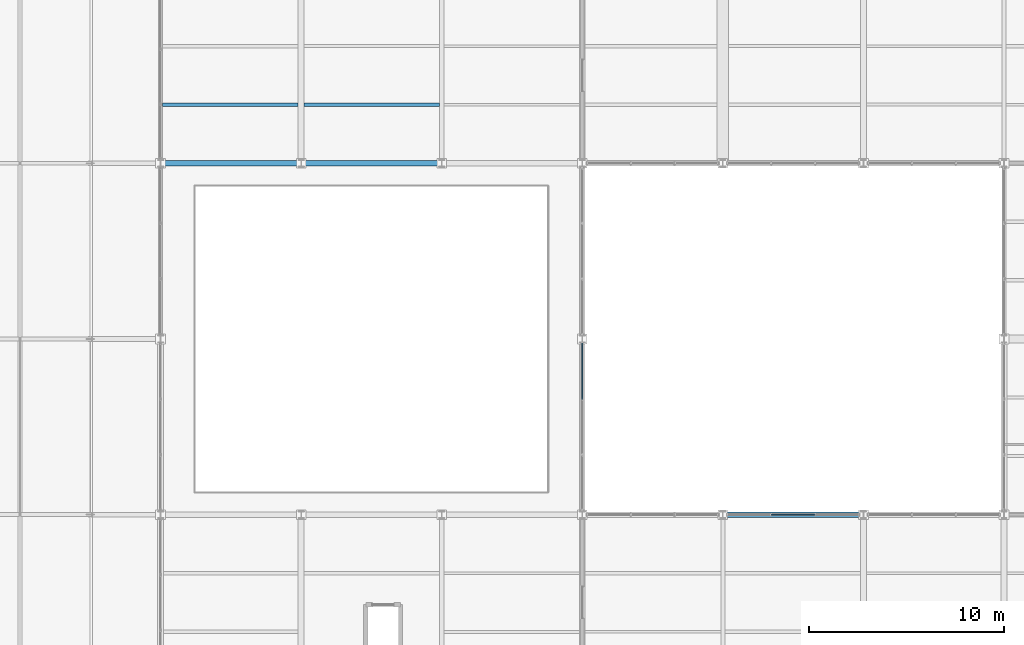
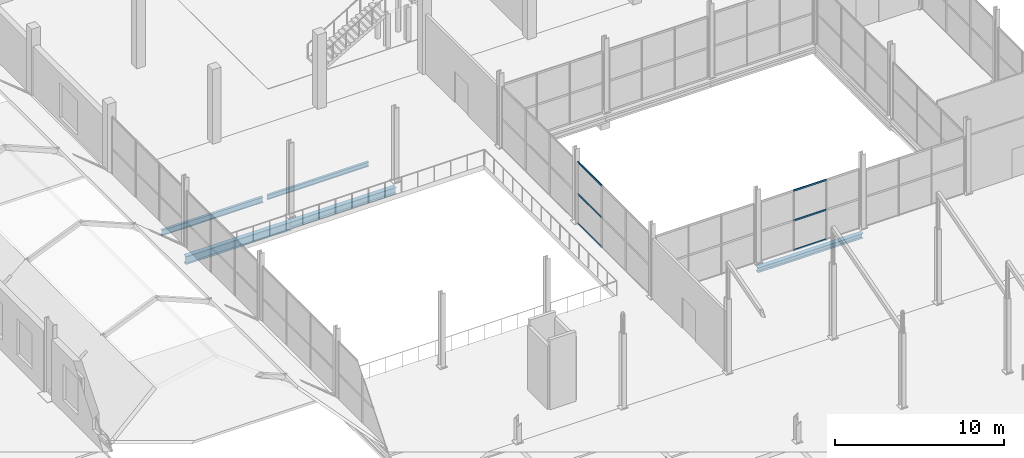
# One storey, part 40 of 141: 6 members, 5 beams, 2 elements without a shape of their own.
"""IFC4 building model written with IfcOpenShell, lengths in metres."""

from ifc_helpers import new_model, si_unit, direction, frame, origin, origin_2d, place, context, subcontext, project, spatial, hollow_rectangle, i_section, extrude, material, layer, layer_set, material_profile, profile_set, type_object, element, aggregate, save


model = new_model("IFC4")

# Units and contexts
model_context = context("Model", 3, precision=1e-05, world=origin(), true_north=direction((0.0, 1.0)))
body_context = subcontext(model_context, "Body", "Model", "MODEL_VIEW")
ifc_project = project(units=[si_unit("LENGTHUNIT", "METRE"), si_unit("AREAUNIT", "SQUARE_METRE"), si_unit("VOLUMEUNIT", "CUBIC_METRE"), si_unit("PLANEANGLEUNIT", "RADIAN"), si_unit("MASSUNIT", "GRAM", prefix="KILO")], contexts=[model_context])

# Site, building, storey
site_placement = place(None, origin())
site = spatial("IfcSite", under=ifc_project, at=site_placement, CompositionType="ELEMENT")
building_placement = place(site_placement, origin())
building = spatial("IfcBuilding", under=site, at=building_placement, Name="Sundgate Opera House", CompositionType="ELEMENT")
storey_placement = place(building_placement, frame((0.0, 0.0, 11.39990234375)))
storey = spatial("IfcBuildingStorey", under=building, at=storey_placement, Name="L02", CompositionType="ELEMENT", Elevation=11.39990234375)

# Beams
ifc_material_1 = material(Name="Steel S355J2", Category="steel")
ifc_material_profile_1 = material_profile(ifc_material_1, i_section(OverallWidth=0.300048828125, OverallDepth=0.35009765625, WebThickness=0.010009765625, FlangeThickness=0.017578125, at=origin_2d()), Name="HEA 360")
ifc_profile_set_1 = profile_set([ifc_material_profile_1], Name="Steel S355J2")
beam_type_1 = type_object("IfcBeamType", Name="BM-GR-HEA360", PredefinedType="BEAM", material=ifc_profile_set_1)
beam_1_placement = place(storey_placement, frame((124.199951171875, 42.0, -0.52490234375), z_axis=(1.0, 0.0, 0.0), x_axis=(0.0, 1.0, 0.0)))
element("IfcBeam", 1, at=beam_1_placement, inside=storey, type_object=beam_type_1, Name="L02 Primary E-W Girder B2013", PredefinedType="BEAM", context=body_context, shape_type="SweptSolid", body=[
    extrude(i_section(OverallWidth=0.300048828125, OverallDepth=0.35009765625, WebThickness=0.010009765625, FlangeThickness=0.017578125, at=origin_2d()), origin(), (0.0, 0.0, 1.0), 7.199951171875),
])
ifc_material_2 = material(Name="Steel S355J2", Category="steel")
ifc_material_profile_2 = material_profile(ifc_material_2, i_section(OverallWidth=0.300048828125, OverallDepth=0.489990234375, WebThickness=0.011962890625, FlangeThickness=0.02294921875, at=origin_2d()), Name="HEA 500")
ifc_profile_set_2 = profile_set([ifc_material_profile_2], Name="Steel S355J2")
beam_type_2 = type_object("IfcBeamType", Name="BM-GR-HEA500", PredefinedType="BEAM", material=ifc_profile_set_2)
beam_2_placement = place(storey_placement, frame((102.60009765625, 60.0, -0.594970703125), z_axis=(1.0, 0.0, 0.0), x_axis=(0.0, 1.0, 0.0)))
element("IfcBeam", 2, at=beam_2_placement, inside=storey, type_object=beam_type_2, Name="L02 Primary E-W Girder B2026", PredefinedType="BEAM", context=body_context, shape_type="SweptSolid", body=[
    extrude(i_section(OverallWidth=0.300048828125, OverallDepth=0.489990234375, WebThickness=0.011962890625, FlangeThickness=0.02294921875, at=origin_2d()), origin(), (0.0, 0.0, 1.0), 7.199951171875),
])
ifc_material_3 = material(Name="Steel S355J2", Category="steel")
ifc_material_profile_3 = material_profile(ifc_material_3, i_section(OverallWidth=0.300048828125, OverallDepth=0.590087890625, WebThickness=0.012939453125, FlangeThickness=0.02490234375, at=origin_2d()), Name="HEA 600")
ifc_profile_set_3 = profile_set([ifc_material_profile_3], Name="Steel S355J2")
beam_type_3 = type_object("IfcBeamType", Name="BM-GR-HEA600", PredefinedType="BEAM", material=ifc_profile_set_3)
beam_3_placement = place(storey_placement, frame((95.39990234375, 60.0, -0.64501953125), z_axis=(1.0, 0.0, 0.0), x_axis=(0.0, 1.0, 0.0)))
element("IfcBeam", 3, at=beam_3_placement, inside=storey, type_object=beam_type_3, Name="L02 Primary E-W Girder B2025", PredefinedType="BEAM", context=body_context, shape_type="SweptSolid", body=[
    extrude(i_section(OverallWidth=0.300048828125, OverallDepth=0.590087890625, WebThickness=0.012939453125, FlangeThickness=0.02490234375, at=origin_2d()), origin(), (0.0, 0.0, 1.0), 7.2001953125),
])
ifc_material_4 = material(Name="Steel S355J2", Category="steel")
ifc_material_profile_4 = material_profile(ifc_material_4, i_section(OverallWidth=0.159912109375, OverallDepth=0.330078125, WebThickness=0.007568359375, FlangeThickness=0.011474609375, at=origin_2d()), Name="IPE 330")
ifc_profile_set_4 = profile_set([ifc_material_profile_4], Name="Steel S355J2")
beam_type_4 = type_object("IfcBeamType", Name="BM-JS-IPE330", PredefinedType="JOIST", material=ifc_profile_set_4)
beam_4_placement = place(storey_placement, frame((102.75, 63.0, -0.514892578125), z_axis=(1.0, 0.0, 0.0), x_axis=(0.0, 1.0, 0.0)))
element("IfcBeam", 4, at=beam_4_placement, inside=storey, type_object=beam_type_4, Name="L02 Secondary Floor Joist B2265", PredefinedType="JOIST", context=body_context, shape_type="SweptSolid", body=[
    extrude(i_section(OverallWidth=0.159912109375, OverallDepth=0.330078125, WebThickness=0.007568359375, FlangeThickness=0.011474609375, at=origin_2d()), origin(), (0.0, 0.0, 1.0), 6.945068359375),
])
ifc_material_5 = material(Name="Steel S355J2", Category="steel")
ifc_material_profile_5 = material_profile(ifc_material_5, i_section(OverallWidth=0.179931640625, OverallDepth=0.39990234375, WebThickness=0.008544921875, FlangeThickness=0.013427734375, at=origin_2d()), Name="IPE 400")
ifc_profile_set_5 = profile_set([ifc_material_profile_5], Name="Steel S355J2")
beam_type_5 = type_object("IfcBeamType", Name="BM-JS-IPE400", PredefinedType="JOIST", material=ifc_profile_set_5)
beam_5_placement = place(storey_placement, frame((95.5048828125, 63.0, -0.5498046875), z_axis=(1.0, 0.0, 0.0), x_axis=(0.0, 1.0, 0.0)))
element("IfcBeam", 5, at=beam_5_placement, inside=storey, type_object=beam_type_5, Name="L02 Secondary Floor Joist B2263", PredefinedType="JOIST", context=body_context, shape_type="SweptSolid", body=[
    extrude(i_section(OverallWidth=0.179931640625, OverallDepth=0.39990234375, WebThickness=0.008544921875, FlangeThickness=0.013427734375, at=origin_2d()), origin(), (0.0, 0.0, 1.0), 6.945068359375),
])

# Curtain wall, members
ifc_material_6 = material(Name="Anodized aluminium and low-iron glass", Category="aluminium")
ifc_layer = layer(ifc_material_6, 0.159912109375)
ifc_layer_set = layer_set([ifc_layer], Name="Anodized aluminium and low-iron glass")
curtain_wall_type = type_object("IfcCurtainWallType", Name="CW-STUDIO-DARK", PredefinedType="NOTDEFINED", material=ifc_layer_set)
curtain_wall_1_placement = place(storey_placement, origin())
curtain_wall_1 = element("IfcCurtainWall", 6, at=curtain_wall_1_placement, inside=storey, type_object=curtain_wall_type, Name="L02 Curtain Wall CW072", PredefinedType="NOTDEFINED")
ifc_material_7 = material(Name="Anodized aluminium EN AW-6063", Category="aluminium")
ifc_material_profile_6 = material_profile(ifc_material_7, hollow_rectangle(XDim=0.054931640625, YDim=0.1201171875, WallThickness=0.00390625, at=origin_2d()), Name="CWT 120x55x4")
ifc_profile_set_6 = profile_set([ifc_material_profile_6], Name="Anodized aluminium EN AW-6063")
member_type = type_object("IfcMemberType", Name="CWT-ALU-120x55", PredefinedType="USERDEFINED", material=ifc_profile_set_6)
member_1_placement = place(storey_placement, frame((126.675048828125, 42.0, 0.0), z_axis=(1.0, 0.0, 0.0), x_axis=(0.0, 1.0, 0.0)))
member_1 = element("IfcMember", 7, at=member_1_placement, type_object=member_type, Name="CW072 Transom 4", ObjectType="TRANSOM", PredefinedType="USERDEFINED", context=body_context, shape_type="SweptSolid", body=[
    extrude(hollow_rectangle(XDim=0.054931640625, YDim=0.1201171875, WallThickness=0.00390625, at=origin_2d()), origin(), (0.0, 0.0, 1.0), 2.25),
])
member_2_placement = place(storey_placement, frame((126.675048828125, 42.0, 2.150146484375), z_axis=(1.0, 0.0, 0.0), x_axis=(0.0, 1.0, 0.0)))
member_2 = element("IfcMember", 8, at=member_2_placement, type_object=member_type, Name="CW072 Transom 5", ObjectType="TRANSOM", PredefinedType="USERDEFINED", context=body_context, shape_type="SweptSolid", body=[
    extrude(hollow_rectangle(XDim=0.054931640625, YDim=0.1201171875, WallThickness=0.00390625, at=origin_2d()), origin(), (0.0, 0.0, 1.0), 2.25),
])
member_3_placement = place(storey_placement, frame((126.675048828125, 42.0, 4.30517578125), z_axis=(1.0, 0.0, 0.0), x_axis=(0.0, 1.0, 0.0)))
member_3 = element("IfcMember", 9, at=member_3_placement, type_object=member_type, Name="CW072 Transom 6", ObjectType="TRANSOM", PredefinedType="USERDEFINED", context=body_context, shape_type="SweptSolid", body=[
    extrude(hollow_rectangle(XDim=0.054931640625, YDim=0.1201171875, WallThickness=0.00390625, at=origin_2d()), origin(), (0.0, 0.0, 1.0), 2.25),
])
aggregate(curtain_wall_1, [member_1, member_2, member_3])

curtain_wall_2_placement = place(storey_placement, origin())
curtain_wall_2 = element("IfcCurtainWall", 10, at=curtain_wall_2_placement, inside=storey, type_object=curtain_wall_type, Name="L02 Curtain Wall CW076", PredefinedType="NOTDEFINED")
member_4_placement = place(storey_placement, frame((117.0, 47.925048828125, 0.0), z_axis=(0.0, 1.0, 0.0), x_axis=(-1.0, 0.0, 0.0)))
member_4 = element("IfcMember", 11, at=member_4_placement, type_object=member_type, Name="CW076 Transom 7", ObjectType="TRANSOM", PredefinedType="USERDEFINED", context=body_context, shape_type="SweptSolid", body=[
    extrude(hollow_rectangle(XDim=0.054931640625, YDim=0.1201171875, WallThickness=0.00390625, at=origin_2d()), origin(), (0.0, 0.0, 1.0), 2.849853515625),
])
member_5_placement = place(storey_placement, frame((117.0, 47.925048828125, 2.150146484375), z_axis=(0.0, 1.0, 0.0), x_axis=(-1.0, 0.0, 0.0)))
member_5 = element("IfcMember", 12, at=member_5_placement, type_object=member_type, Name="CW076 Transom 8", ObjectType="TRANSOM", PredefinedType="USERDEFINED", context=body_context, shape_type="SweptSolid", body=[
    extrude(hollow_rectangle(XDim=0.054931640625, YDim=0.1201171875, WallThickness=0.00390625, at=origin_2d()), origin(), (0.0, 0.0, 1.0), 2.849853515625),
])
member_6_placement = place(storey_placement, frame((117.0, 47.925048828125, 4.455078125), z_axis=(0.0, 1.0, 0.0), x_axis=(-1.0, 0.0, 0.0)))
member_6 = element("IfcMember", 13, at=member_6_placement, type_object=member_type, Name="CW076 Transom 9", ObjectType="TRANSOM", PredefinedType="USERDEFINED", context=body_context, shape_type="SweptSolid", body=[
    extrude(hollow_rectangle(XDim=0.054931640625, YDim=0.1201171875, WallThickness=0.00390625, at=origin_2d()), origin(), (0.0, 0.0, 1.0), 2.849853515625),
])
aggregate(curtain_wall_2, [member_4, member_5, member_6])

save(model, "model.ifc")
